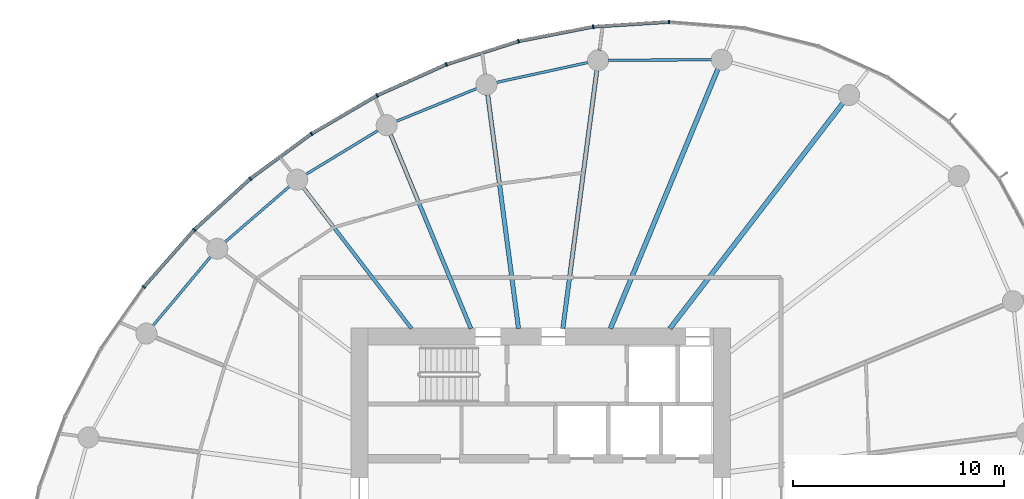
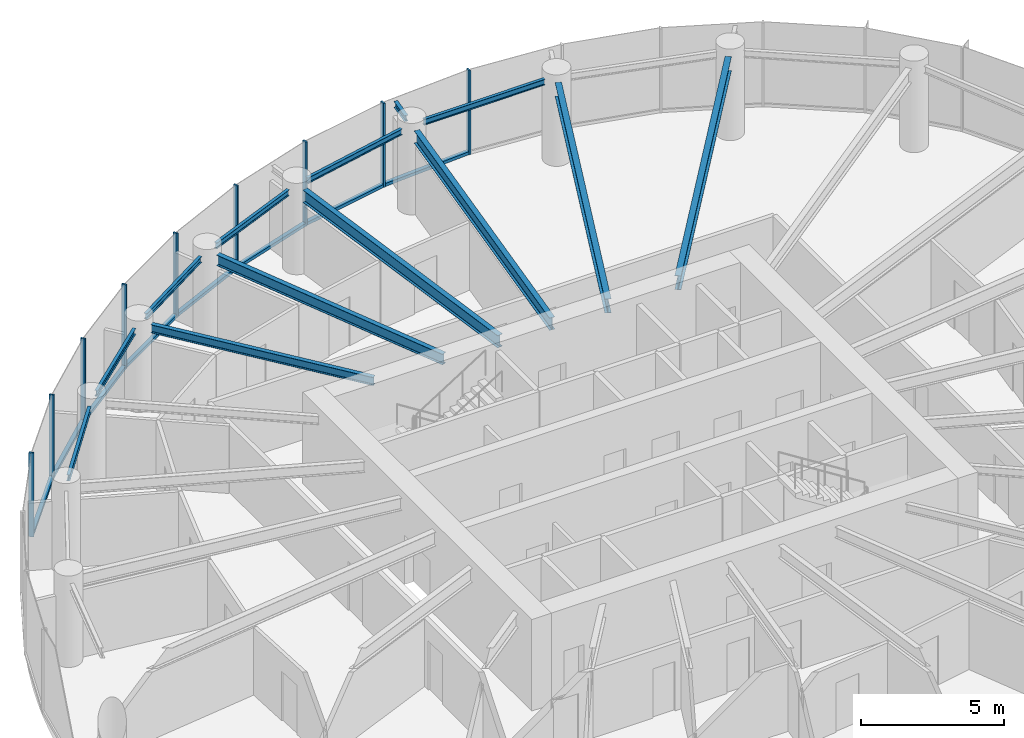
# One storey, part 5 of 14: 17 members, 13 beams, 3 elements without a shape of their own.
"""IFC4 building model written with IfcOpenShell, lengths in metres."""

from ifc_helpers import new_model, si_unit, direction, frame, origin, origin_2d, place, context, subcontext, project, spatial, rectangle, i_section, extrude, source, transform, mapped, material, layer, layer_set, material_profile, profile_set, type_object, element, aggregate, save


model = new_model("IFC4")

# Units and contexts
model_context = context("Model", 3, precision=1e-05, world=origin(), true_north=direction((0.0, 1.0)))
body_context = subcontext(model_context, "Body", "Model", "MODEL_VIEW")
ifc_project = project(units=[si_unit("LENGTHUNIT", "METRE"), si_unit("AREAUNIT", "SQUARE_METRE"), si_unit("VOLUMEUNIT", "CUBIC_METRE"), si_unit("PLANEANGLEUNIT", "RADIAN"), si_unit("MASSUNIT", "GRAM", prefix="KILO")], contexts=[model_context])

# Site, building, storey
site_placement = place(None, origin())
site = spatial("IfcSite", under=ifc_project, at=site_placement, CompositionType="ELEMENT")
building_placement = place(site_placement, origin())
building = spatial("IfcBuilding", under=site, at=building_placement, Name="Spindrift Exchange Tower", CompositionType="ELEMENT")
storey_placement = place(building_placement, frame((0.0, 0.0, 160.39990234375)))
storey = spatial("IfcBuildingStorey", under=building, at=storey_placement, Name="L38", CompositionType="ELEMENT", Elevation=160.39990234375)

# Beams
ifc_material_1 = material(Name="Steel Grade 300", Category="steel")
ifc_material_profile_1 = material_profile(ifc_material_1, i_section(OverallWidth=0.1240234375, OverallDepth=0.248046875, WebThickness=0.0048828125, FlangeThickness=0.008056640625, FilletRadius=0.011962890625, at=origin_2d()), Name="250UB25.7")
ifc_profile_set_1 = profile_set([ifc_material_profile_1], Name="Steel Grade 300")
beam_type_1 = type_object("IfcBeamType", Name="Edge Beam 250UB25.7 Steel Grade 300", PredefinedType="SPANDREL", material=ifc_profile_set_1)
shared_shape_1 = source(origin(), body_context, "Body", "SweptSolid", [
    extrude(i_section(OverallWidth=0.1240234375, OverallDepth=0.248046875, WebThickness=0.0048828125, FlangeThickness=0.008056640625, FilletRadius=0.011962890625, at=origin_2d()), origin(), (0.0, 0.0, 1.0), 4.901123046875),
])
beam_1_placement = place(storey_placement, frame((60.10693359375, 68.728759765625, 3.4560546875), z_axis=(-0.999990609444, -0.004333707747, 0.0), x_axis=(0.004333707747, -0.999990609444, 0.0)))
element("IfcBeam", 1, at=beam_1_placement, inside=storey, type_object=beam_type_1, Name="L38 edge beam E05", PredefinedType="SPANDREL", context=body_context, shape_type="MappedRepresentation", body=[
    mapped(shared_shape_1, transform((0.0, 0.0, 0.0), scale=1.0)),
])
shared_shape_2 = source(origin(), body_context, "Body", "SweptSolid", [
    extrude(i_section(OverallWidth=0.1240234375, OverallDepth=0.248046875, WebThickness=0.0048828125, FlangeThickness=0.008056640625, FilletRadius=0.011962890625, at=origin_2d()), origin(), (0.0, 0.0, 1.0), 4.464111328125),
])
beam_2_placement = place(storey_placement, frame((54.2568359375, 68.603271484375, 3.4560546875), z_axis=(-0.977095837978, -0.212799726048, 0.0), x_axis=(0.212799726048, -0.977095837978, 0.0)))
element("IfcBeam", 2, at=beam_2_placement, inside=storey, type_object=beam_type_1, Name="L38 edge beam E06", PredefinedType="SPANDREL", context=body_context, shape_type="MappedRepresentation", body=[
    mapped(shared_shape_2, transform((0.0, 0.0, 0.0), scale=1.0)),
])
shared_shape_3 = source(origin(), body_context, "Body", "SweptSolid", [
    extrude(i_section(OverallWidth=0.1240234375, OverallDepth=0.248046875, WebThickness=0.0048828125, FlangeThickness=0.008056640625, FilletRadius=0.011962890625, at=origin_2d()), origin(), (0.0, 0.0, 1.0), 4.143798828125),
])
beam_3_placement = place(storey_placement, frame((48.9814453125, 67.3701171875, 3.4560546875), z_axis=(-0.926113706975, -0.377244485385, 0.0), x_axis=(0.377244485385, -0.926113706975, 0.0)))
element("IfcBeam", 3, at=beam_3_placement, inside=storey, type_object=beam_type_1, Name="L38 edge beam E07", PredefinedType="SPANDREL", context=body_context, shape_type="MappedRepresentation", body=[
    mapped(shared_shape_3, transform((0.0, 0.0, 0.0), scale=1.0)),
])
shared_shape_4 = source(origin(), body_context, "Body", "SweptSolid", [
    extrude(i_section(OverallWidth=0.1240234375, OverallDepth=0.248046875, WebThickness=0.0048828125, FlangeThickness=0.008056640625, FilletRadius=0.011962890625, at=origin_2d()), origin(), (0.0, 0.0, 1.0), 4.00634765625),
])
beam_4_placement = place(storey_placement, frame((44.2890625, 65.376220703125, 3.4560546875), z_axis=(-0.854331495603, -0.519728482596, 0.0), x_axis=(0.519728482596, -0.854331495603, 0.0)))
element("IfcBeam", 4, at=beam_4_placement, inside=storey, type_object=beam_type_1, Name="L38 edge beam E08", PredefinedType="SPANDREL", context=body_context, shape_type="MappedRepresentation", body=[
    mapped(shared_shape_4, transform((0.0, 0.0, 0.0), scale=1.0)),
])
shared_shape_5 = source(origin(), body_context, "Body", "SweptSolid", [
    extrude(i_section(OverallWidth=0.1240234375, OverallDepth=0.248046875, WebThickness=0.0048828125, FlangeThickness=0.008056640625, FilletRadius=0.011962890625, at=origin_2d()), origin(), (0.0, 0.0, 1.0), 4.052001953125),
])
beam_5_placement = place(storey_placement, frame((40.093017578125, 62.730712890625, 3.4560546875), z_axis=(-0.756715968535, -0.65374379, 0.0), x_axis=(0.65374379, -0.756715968535, 0.0)))
element("IfcBeam", 5, at=beam_5_placement, inside=storey, type_object=beam_type_1, Name="L38 edge beam E09", PredefinedType="SPANDREL", context=body_context, shape_type="MappedRepresentation", body=[
    mapped(shared_shape_5, transform((0.0, 0.0, 0.0), scale=1.0)),
])
shared_shape_6 = source(origin(), body_context, "Body", "SweptSolid", [
    extrude(i_section(OverallWidth=0.1240234375, OverallDepth=0.248046875, WebThickness=0.0048828125, FlangeThickness=0.008056640625, FilletRadius=0.011962890625, at=origin_2d()), origin(), (0.0, 0.0, 1.0), 4.282958984375),
])
beam_6_placement = place(storey_placement, frame((36.355712890625, 59.399658203125, 3.4560546875), z_axis=(-0.641400288548, -0.767206406289, 0.0), x_axis=(0.767206406289, -0.641400288548, 0.0)))
element("IfcBeam", 6, at=beam_6_placement, inside=storey, type_object=beam_type_1, Name="L38 edge beam E10", PredefinedType="SPANDREL", context=body_context, shape_type="MappedRepresentation", body=[
    mapped(shared_shape_6, transform((0.0, 0.0, 0.0), scale=1.0)),
])
ifc_material_profile_2 = material_profile(ifc_material_1, i_section(OverallWidth=0.22802734375, OverallDepth=0.60205078125, WebThickness=0.010498046875, FlangeThickness=0.014892578125, FilletRadius=0.013916015625, at=origin_2d()), Name="610UB101")
ifc_profile_set_2 = profile_set([ifc_material_profile_2], Name="Steel Grade 300")
beam_type_2 = type_object("IfcBeamType", Name="Floor Beam 610UB101 Steel Grade 300", PredefinedType="BEAM", material=ifc_profile_set_2)
shared_shape_7 = source(origin(), body_context, "Body", "SweptSolid", [
    extrude(i_section(OverallWidth=0.22802734375, OverallDepth=0.60205078125, WebThickness=0.010498046875, FlangeThickness=0.014892578125, FilletRadius=0.013916015625, at=origin_2d()), origin(), (0.0, 0.0, 1.0), 13.480224609375),
])
beam_7_placement = place(storey_placement, frame((58.12646484375, 55.984130859375, 3.279052734375), z_axis=(0.608764179541, 0.793351229726, 0.0), x_axis=(-0.793351229726, 0.608764179541, 0.0)))
element("IfcBeam", 7, at=beam_7_placement, inside=storey, type_object=beam_type_2, Name="L38 radial beam R04A", PredefinedType="BEAM", context=body_context, shape_type="MappedRepresentation", body=[
    mapped(shared_shape_7, transform((0.0, 0.0, 0.0), scale=1.0)),
])
shared_shape_8 = source(origin(), body_context, "Body", "SweptSolid", [
    extrude(i_section(OverallWidth=0.22802734375, OverallDepth=0.60205078125, WebThickness=0.010498046875, FlangeThickness=0.014892578125, FilletRadius=0.013916015625, at=origin_2d()), origin(), (0.0, 0.0, 1.0), 13.31982421875),
])
beam_8_placement = place(storey_placement, frame((55.30615234375, 55.9814453125, 3.279052734375), z_axis=(0.382676632888, 0.923882348918, 0.0), x_axis=(-0.923882348918, 0.382676632888, 0.0)))
element("IfcBeam", 8, at=beam_8_placement, inside=storey, type_object=beam_type_2, Name="L38 radial beam R05A", PredefinedType="BEAM", context=body_context, shape_type="MappedRepresentation", body=[
    mapped(shared_shape_8, transform((0.0, 0.0, 0.0), scale=1.0)),
])
ifc_material_profile_3 = material_profile(ifc_material_1, i_section(OverallWidth=0.208984375, OverallDepth=0.528076171875, WebThickness=0.009521484375, FlangeThickness=0.01318359375, FilletRadius=0.013916015625, at=origin_2d()), Name="530UB82.0")
ifc_profile_set_3 = profile_set([ifc_material_profile_3], Name="Steel Grade 300")
beam_type_3 = type_object("IfcBeamType", Name="Floor Beam 530UB82.0 Steel Grade 300", PredefinedType="BEAM", material=ifc_profile_set_3)
shared_shape_9 = source(origin(), body_context, "Body", "SweptSolid", [
    extrude(i_section(OverallWidth=0.208984375, OverallDepth=0.528076171875, WebThickness=0.009521484375, FlangeThickness=0.01318359375, FilletRadius=0.013916015625, at=origin_2d()), origin(), (0.0, 0.0, 1.0), 12.35498046875),
])
beam_9_placement = place(storey_placement, frame((53.050537109375, 55.980224609375, 3.316162109375), z_axis=(0.130537831721, 0.991443328935, 0.0), x_axis=(-0.991443328935, 0.130537831721, 0.0)))
element("IfcBeam", 9, at=beam_9_placement, inside=storey, type_object=beam_type_3, Name="L38 radial beam R06A", PredefinedType="BEAM", context=body_context, shape_type="MappedRepresentation", body=[
    mapped(shared_shape_9, transform((0.0, 0.0, 0.0), scale=1.0)),
])
shared_shape_10 = source(origin(), body_context, "Body", "SweptSolid", [
    extrude(i_section(OverallWidth=0.208984375, OverallDepth=0.528076171875, WebThickness=0.009521484375, FlangeThickness=0.01318359375, FilletRadius=0.013916015625, at=origin_2d()), origin(), (0.0, 0.0, 1.0), 11.19091796875),
])
beam_10_placement = place(storey_placement, frame((50.949462890625, 55.980224609375, 3.316162109375), z_axis=(-0.130524489434, 0.991445085548, 0.0), x_axis=(-0.991445085548, -0.130524489434, 0.0)))
element("IfcBeam", 10, at=beam_10_placement, inside=storey, type_object=beam_type_3, Name="L38 radial beam R07A", PredefinedType="BEAM", context=body_context, shape_type="MappedRepresentation", body=[
    mapped(shared_shape_10, transform((0.0, 0.0, 0.0), scale=1.0)),
])
ifc_material_profile_4 = material_profile(ifc_material_1, i_section(OverallWidth=0.18994140625, OverallDepth=0.4541015625, WebThickness=0.008544921875, FlangeThickness=0.0126953125, FilletRadius=0.013916015625, at=origin_2d()), Name="460UB67.1")
ifc_profile_set_4 = profile_set([ifc_material_profile_4], Name="Steel Grade 300")
beam_type_4 = type_object("IfcBeamType", Name="Floor Beam 460UB67.1 Steel Grade 300", PredefinedType="BEAM", material=ifc_profile_set_4)
shared_shape_11 = source(origin(), body_context, "Body", "SweptSolid", [
    extrude(i_section(OverallWidth=0.18994140625, OverallDepth=0.4541015625, WebThickness=0.008544921875, FlangeThickness=0.0126953125, FilletRadius=0.013916015625, at=origin_2d()), origin(), (0.0, 0.0, 1.0), 9.958984375),
])
beam_11_placement = place(storey_placement, frame((48.69384765625, 55.9814453125, 3.35302734375), z_axis=(-0.382673670509, 0.923883575944, 0.0), x_axis=(-0.923883575944, -0.382673670509, 0.0)))
element("IfcBeam", 11, at=beam_11_placement, inside=storey, type_object=beam_type_4, Name="L38 radial beam R08A", PredefinedType="BEAM", context=body_context, shape_type="MappedRepresentation", body=[
    mapped(shared_shape_11, transform((0.0, 0.0, 0.0), scale=1.0)),
])
ifc_material_profile_5 = material_profile(ifc_material_1, i_section(OverallWidth=0.1708984375, OverallDepth=0.35205078125, WebThickness=0.0068359375, FlangeThickness=0.009765625, FilletRadius=0.013916015625, at=origin_2d()), Name="360UB44.7")
ifc_profile_set_5 = profile_set([ifc_material_profile_5], Name="Steel Grade 300")
beam_type_5 = type_object("IfcBeamType", Name="Floor Beam 360UB44.7 Steel Grade 300", PredefinedType="BEAM", material=ifc_profile_set_5)
shared_shape_12 = source(origin(), body_context, "Body", "SweptSolid", [
    extrude(i_section(OverallWidth=0.1708984375, OverallDepth=0.35205078125, WebThickness=0.0068359375, FlangeThickness=0.009765625, FilletRadius=0.013916015625, at=origin_2d()), origin(), (0.0, 0.0, 1.0), 8.419189453125),
])
beam_12_placement = place(storey_placement, frame((45.87353515625, 55.984130859375, 3.404052734375), z_axis=(-0.608755970582, 0.79335752866, 0.0), x_axis=(-0.79335752866, -0.608755970582, 0.0)))
element("IfcBeam", 12, at=beam_12_placement, inside=storey, type_object=beam_type_5, Name="L38 radial beam R09A", PredefinedType="BEAM", context=body_context, shape_type="MappedRepresentation", body=[
    mapped(shared_shape_12, transform((0.0, 0.0, 0.0), scale=1.0)),
])
ifc_material_profile_6 = material_profile(ifc_material_1, i_section(OverallWidth=0.14599609375, OverallDepth=0.251953125, WebThickness=0.006103515625, FlangeThickness=0.008544921875, FilletRadius=0.011962890625, at=origin_2d()), Name="250UB31.4")
ifc_profile_set_6 = profile_set([ifc_material_profile_6], Name="Steel Grade 300")
beam_type_6 = type_object("IfcBeamType", Name="Cantilever Beam 250UB31.4 Steel Grade 300", PredefinedType="BEAM", material=ifc_profile_set_6)
shared_shape_13 = source(origin(), body_context, "Body", "SweptSolid", [
    extrude(i_section(OverallWidth=0.14599609375, OverallDepth=0.251953125, WebThickness=0.006103515625, FlangeThickness=0.008544921875, FilletRadius=0.011962890625, at=origin_2d()), origin(), (0.0, 0.0, 1.0), 0.966796875),
])
beam_13_placement = place(storey_placement, frame((54.78857421875, 69.18115234375, 3.4541015625), z_axis=(0.130559031548, 0.991440537441, 0.0), x_axis=(-0.991440537441, 0.130559031548, 0.0)))
element("IfcBeam", 13, at=beam_13_placement, inside=storey, type_object=beam_type_6, Name="L38 cantilever beam R06T", PredefinedType="BEAM", context=body_context, shape_type="MappedRepresentation", body=[
    mapped(shared_shape_13, transform((0.0, 0.0, 0.0), scale=1.0)),
])

# Curtain wall, members
ifc_material_2 = material(Name="Fritted laminated glass with bronze frame", Category="glass")
ifc_layer = layer(ifc_material_2, 0.179931640625)
ifc_layer_set = layer_set([ifc_layer], Name="ZONE 3 BRONZE FRITTED WALL")
curtain_wall_type = type_object("IfcCurtainWallType", Name="ZONE 3 BRONZE FRITTED WALL", PredefinedType="NOTDEFINED", material=ifc_layer_set)
curtain_wall_1_placement = place(storey_placement, origin())
curtain_wall_1 = element("IfcCurtainWall", 14, at=curtain_wall_1_placement, inside=storey, type_object=curtain_wall_type, Name="L38 Zone 3 Bronze Fritted Wall run 2", PredefinedType="NOTDEFINED")
ifc_material_3 = material(Name="Bronze anodised aluminium", Category="aluminium")
ifc_material_profile_7 = material_profile(ifc_material_3, rectangle(XDim=0.159912109375, YDim=0.1298828125, at=origin_2d()), Name="ZONE 3 BRONZE FRITTED WALL TRANSOM 160X130")
ifc_profile_set_7 = profile_set([ifc_material_profile_7], Name="Bronze anodised aluminium")
member_type_1 = type_object("IfcMemberType", Name="ZONE 3 BRONZE FRITTED WALL TRANSOM 160X130", PredefinedType="USERDEFINED", material=ifc_profile_set_7)
shared_shape_14 = source(origin(), body_context, "Body", "SweptSolid", [
    extrude(rectangle(XDim=0.159912109375, YDim=0.1298828125, at=origin_2d()), origin(), (0.0, 0.0, 1.0), 3.53076171875),
])
member_1_placement = place(storey_placement, frame((50.9208984375, 69.598876953125, 0.065185546875), z_axis=(-0.952150791062, -0.305628648983, 0.0), x_axis=(0.305628648983, -0.952150791062, 0.0)))
member_1 = element("IfcMember", 15, at=member_1_placement, type_object=member_type_1, Name="L38 transom CW-3.8", ObjectType="TRANSOM", PredefinedType="USERDEFINED", context=body_context, shape_type="MappedRepresentation", body=[
    mapped(shared_shape_14, transform((0.0, 0.0, 0.0), scale=1.0)),
])
member_2_placement = place(storey_placement, frame((47.493896484375, 68.494873046875, 0.065185546875), z_axis=(-0.912406052899, -0.409286201372, 0.0), x_axis=(0.409286201372, -0.912406052899, 0.0)))
member_2 = element("IfcMember", 16, at=member_2_placement, type_object=member_type_1, Name="L38 transom CW-3.9", ObjectType="TRANSOM", PredefinedType="USERDEFINED", context=body_context, shape_type="MappedRepresentation", body=[
    mapped(shared_shape_14, transform((0.0, 0.0, 0.0), scale=1.0)),
])
member_3_placement = place(storey_placement, frame((44.210205078125, 67.017822265625, 0.065185546875), z_axis=(-0.863545580048, -0.50427079152, 0.0), x_axis=(0.50427079152, -0.863545580048, 0.0)))
member_3 = element("IfcMember", 17, at=member_3_placement, type_object=member_type_1, Name="L38 transom CW-3.10", ObjectType="TRANSOM", PredefinedType="USERDEFINED", context=body_context, shape_type="MappedRepresentation", body=[
    mapped(shared_shape_14, transform((0.0, 0.0, 0.0), scale=1.0)),
])
member_4_placement = place(storey_placement, frame((38.202880859375, 63.064453125, 0.065185546875), z_axis=(-0.739088468668, -0.673608369516, 0.0), x_axis=(0.673608369516, -0.739088468668, 0.0)))
member_4 = element("IfcMember", 18, at=member_4_placement, type_object=member_type_1, Name="L38 transom CW-3.12", ObjectType="TRANSOM", PredefinedType="USERDEFINED", context=body_context, shape_type="MappedRepresentation", body=[
    mapped(shared_shape_14, transform((0.0, 0.0, 0.0), scale=1.0)),
])

# Curtain wall, member
curtain_wall_2_placement = place(storey_placement, origin())
curtain_wall_2 = element("IfcCurtainWall", 19, at=curtain_wall_2_placement, inside=storey, type_object=curtain_wall_type, Name="L38 Zone 3 Bronze Fritted Wall run 3", PredefinedType="NOTDEFINED")
member_5_placement = place(storey_placement, frame((35.544189453125, 60.63623046875, 0.065185546875), z_axis=(-0.661685671384, -0.749781349652, 0.0), x_axis=(0.749781349652, -0.661685671384, 0.0)))
member_5 = element("IfcMember", 20, at=member_5_placement, type_object=member_type_1, Name="L38 transom CW-3.13", ObjectType="TRANSOM", PredefinedType="USERDEFINED", context=body_context, shape_type="MappedRepresentation", body=[
    mapped(shared_shape_14, transform((0.0, 0.0, 0.0), scale=1.0)),
])

# Member
shared_shape_15 = source(origin(), body_context, "Body", "SweptSolid", [
    extrude(rectangle(XDim=0.159912109375, YDim=0.1298828125, at=origin_2d()), origin(), (0.0, 0.0, 1.0), 3.531005859375),
])
member_6_placement = place(storey_placement, frame((41.102783203125, 65.198974609375, 0.065185546875), z_axis=(-0.805991543946, -0.591927048788, 0.0), x_axis=(0.591927048788, -0.805991543946, 0.0)))
member_6 = element("IfcMember", 21, at=member_6_placement, type_object=member_type_1, Name="L38 transom CW-3.11", ObjectType="TRANSOM", PredefinedType="USERDEFINED", context=body_context, shape_type="MappedRepresentation", body=[
    mapped(shared_shape_15, transform((0.0, 0.0, 0.0), scale=1.0)),
])

shared_shape_16 = source(origin(), body_context, "Body", "SweptSolid", [
    extrude(rectangle(XDim=0.159912109375, YDim=0.1298828125, at=origin_2d()), origin(), (0.0, 0.0, 1.0), 3.5302734375),
])
member_7_placement = place(storey_placement, frame((54.453857421875, 70.29052734375, 0.065185546875), z_axis=(-0.981588746367, -0.191006630792, 0.0), x_axis=(0.191006630792, -0.981588746367, 0.0)))
member_7 = element("IfcMember", 22, at=member_7_placement, type_object=member_type_1, Name="L38 transom CW-3.7", ObjectType="TRANSOM", PredefinedType="USERDEFINED", context=body_context, shape_type="MappedRepresentation", body=[
    mapped(shared_shape_16, transform((0.0, 0.0, 0.0), scale=1.0)),
])

# Curtain wall, member
curtain_wall_3_placement = place(storey_placement, origin())
curtain_wall_3 = element("IfcCurtainWall", 23, at=curtain_wall_3_placement, inside=storey, type_object=curtain_wall_type, Name="L38 Zone 3 Bronze Fritted Wall run 1", PredefinedType="NOTDEFINED")
ifc_material_profile_8 = material_profile(ifc_material_3, rectangle(XDim=0.070068359375, YDim=0.179931640625, at=origin_2d()), Name="ZONE 3 BRONZE FRITTED WALL MULLION 70X180")
ifc_profile_set_8 = profile_set([ifc_material_profile_8], Name="Bronze anodised aluminium")
member_type_2 = type_object("IfcMemberType", Name="ZONE 3 BRONZE FRITTED WALL MULLION 70X180", PredefinedType="MULLION", material=ifc_profile_set_8)
shared_shape_17 = source(origin(), body_context, "Body", "SweptSolid", [
    extrude(rectangle(XDim=0.070068359375, YDim=0.179931640625, at=origin_2d()), origin(), (0.0, 0.0, 1.0), 3.580078125),
])
member_8_placement = place(storey_placement, frame((58.080810546875, 70.525634765625, 0.0), z_axis=(0.0, 0.0, 1.0), x_axis=(-0.999968436581, 0.007945177312, 0.0)))
member_8 = element("IfcMember", 24, at=member_8_placement, type_object=member_type_2, Name="L38 mullion CW-3.6", PredefinedType="MULLION", context=body_context, shape_type="MappedRepresentation", body=[
    mapped(shared_shape_17, transform((0.0, 0.0, 0.0), scale=1.0)),
])

# Member
member_9_placement = place(storey_placement, frame((54.48828125, 70.297119140625, 0.0), z_axis=(0.0, 0.0, 1.0), x_axis=(-0.991839391801, -0.127493611103, 0.0)))
member_9 = element("IfcMember", 25, at=member_9_placement, type_object=member_type_2, Name="L38 mullion CW-3.7", PredefinedType="MULLION", context=body_context, shape_type="MappedRepresentation", body=[
    mapped(shared_shape_17, transform((0.0, 0.0, 0.0), scale=1.0)),
])

member_10_placement = place(storey_placement, frame((50.9541015625, 69.609619140625, 0.0), z_axis=(0.0, 0.0, 1.0), x_axis=(-0.968571823125, -0.248734041594, 0.0)))
member_10 = element("IfcMember", 26, at=member_10_placement, type_object=member_type_2, Name="L38 mullion CW-3.8", PredefinedType="MULLION", context=body_context, shape_type="MappedRepresentation", body=[
    mapped(shared_shape_17, transform((0.0, 0.0, 0.0), scale=1.0)),
])

member_11_placement = place(storey_placement, frame((47.52587890625, 68.50927734375, 0.0), z_axis=(0.0, 0.0, 1.0), x_axis=(-0.933722443922, -0.357997762166, 0.0)))
member_11 = element("IfcMember", 27, at=member_11_placement, type_object=member_type_2, Name="L38 mullion CW-3.9", PredefinedType="MULLION", context=body_context, shape_type="MappedRepresentation", body=[
    mapped(shared_shape_17, transform((0.0, 0.0, 0.0), scale=1.0)),
])

member_12_placement = place(storey_placement, frame((44.240478515625, 67.035400390625, 0.0), z_axis=(0.0, 0.0, 1.0), x_axis=(-0.889249049799, -0.457423356894, 0.0)))
member_12 = element("IfcMember", 28, at=member_12_placement, type_object=member_type_2, Name="L38 mullion CW-3.10", PredefinedType="MULLION", context=body_context, shape_type="MappedRepresentation", body=[
    mapped(shared_shape_17, transform((0.0, 0.0, 0.0), scale=1.0)),
])

member_13_placement = place(storey_placement, frame((41.130859375, 65.2197265625, 0.0), z_axis=(0.0, 0.0, 1.0), x_axis=(-0.835916795872, -0.548856183694, 0.0)))
member_13 = element("IfcMember", 29, at=member_13_placement, type_object=member_type_2, Name="L38 mullion CW-3.11", PredefinedType="MULLION", context=body_context, shape_type="MappedRepresentation", body=[
    mapped(shared_shape_17, transform((0.0, 0.0, 0.0), scale=1.0)),
])

member_14_placement = place(storey_placement, frame((38.228759765625, 63.088134765625, 0.0), z_axis=(0.0, 0.0, 1.0), x_axis=(-0.77359943165, -0.633674931925, 0.0)))
member_14 = element("IfcMember", 30, at=member_14_placement, type_object=member_type_2, Name="L38 mullion CW-3.12", PredefinedType="MULLION", context=body_context, shape_type="MappedRepresentation", body=[
    mapped(shared_shape_17, transform((0.0, 0.0, 0.0), scale=1.0)),
])

aggregate(curtain_wall_1, [member_9, member_7, member_10, member_1, member_11, member_2, member_12, member_3, member_13, member_6, member_14, member_4])

member_15_placement = place(storey_placement, frame((35.5673828125, 60.66259765625, 0.0), z_axis=(0.0, 0.0, 1.0), x_axis=(-0.70141614386, -0.71275198571, 0.0)))
member_15 = element("IfcMember", 31, at=member_15_placement, type_object=member_type_2, Name="L38 mullion CW-3.13", PredefinedType="MULLION", context=body_context, shape_type="MappedRepresentation", body=[
    mapped(shared_shape_17, transform((0.0, 0.0, 0.0), scale=1.0)),
])

member_16_placement = place(storey_placement, frame((33.184814453125, 57.962890625, 0.0), z_axis=(0.0, 0.0, 1.0), x_axis=(-0.617748368486, -0.786375834593, 0.0)))
member_16 = element("IfcMember", 32, at=member_16_placement, type_object=member_type_2, Name="L38 mullion CW-3.14", PredefinedType="MULLION", context=body_context, shape_type="MappedRepresentation", body=[
    mapped(shared_shape_17, transform((0.0, 0.0, 0.0), scale=1.0)),
])

aggregate(curtain_wall_2, [member_15, member_5, member_16])

shared_shape_18 = source(origin(), body_context, "Body", "SweptSolid", [
    extrude(rectangle(XDim=0.159912109375, YDim=0.1298828125, at=origin_2d()), origin(), (0.0, 0.0, 1.0), 3.52978515625),
])
member_17_placement = place(storey_placement, frame((58.0458984375, 70.5234375, 0.065185546875), z_axis=(-0.997982252094, -0.063493499717, 0.0), x_axis=(0.063493499717, -0.997982252094, 0.0)))
member_17 = element("IfcMember", 33, at=member_17_placement, type_object=member_type_1, Name="L38 transom CW-3.6", ObjectType="TRANSOM", PredefinedType="USERDEFINED", context=body_context, shape_type="MappedRepresentation", body=[
    mapped(shared_shape_18, transform((0.0, 0.0, 0.0), scale=1.0)),
])

aggregate(curtain_wall_3, [member_8, member_17])

save(model, "model.ifc")
